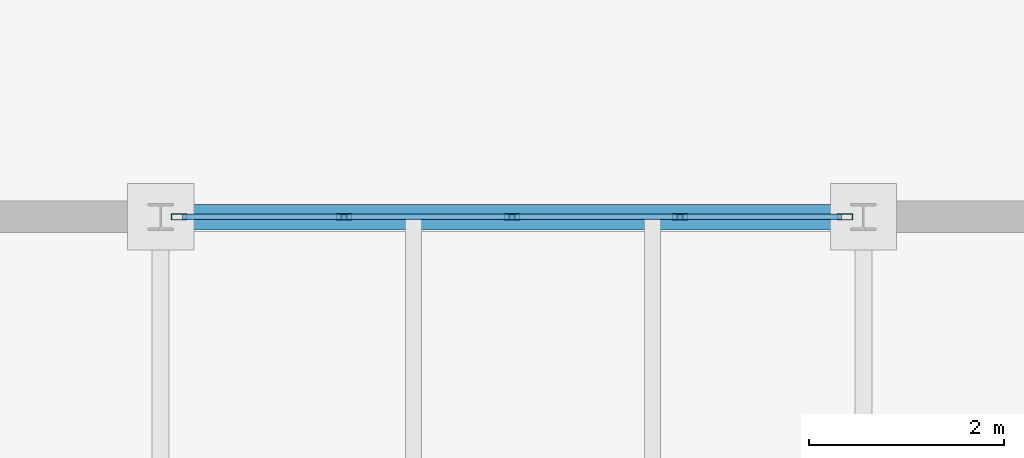
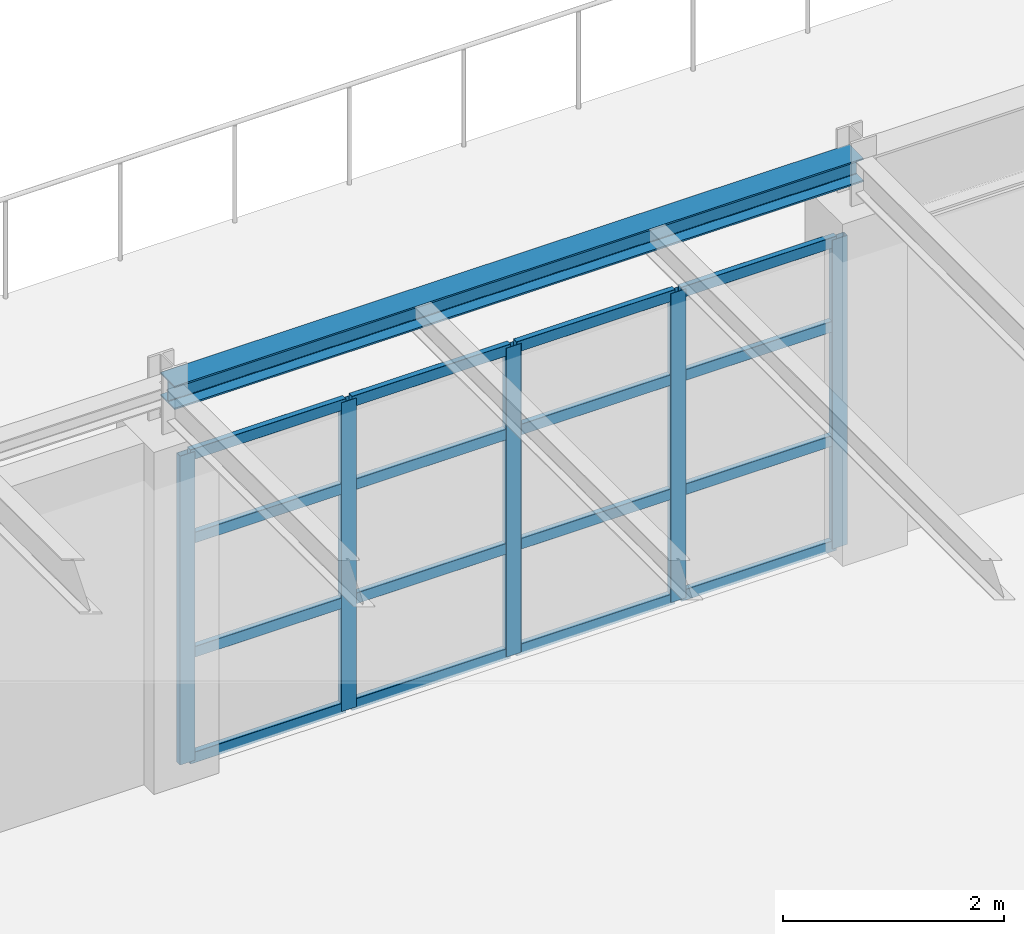
# One storey, part 72 of 101: 21 members, 1 beam, 1 element without a shape of its own.
"""IFC4 building model written with IfcOpenShell, lengths in metres."""

from ifc_helpers import new_model, si_unit, direction, frame, origin, origin_2d, place, context, subcontext, project, spatial, hollow_rectangle, i_section, extrude, material, layer, layer_set, material_profile, profile_set, type_object, element, aggregate, save


model = new_model("IFC4")

# Units and contexts
model_context = context("Model", 3, precision=1e-05, world=origin(), true_north=direction((0.0, 1.0)))
body_context = subcontext(model_context, "Body", "Model", "MODEL_VIEW")
ifc_project = project(units=[si_unit("LENGTHUNIT", "METRE"), si_unit("AREAUNIT", "SQUARE_METRE"), si_unit("VOLUMEUNIT", "CUBIC_METRE"), si_unit("PLANEANGLEUNIT", "RADIAN"), si_unit("MASSUNIT", "GRAM", prefix="KILO")], contexts=[model_context])

# Site, building, storey
site_placement = place(None, origin())
site = spatial("IfcSite", under=ifc_project, at=site_placement, CompositionType="ELEMENT")
building_placement = place(site_placement, origin())
building = spatial("IfcBuilding", under=site, at=building_placement, Name="Kemerveld Promenade Tramway Depot", CompositionType="ELEMENT")
storey_placement = place(building_placement, frame((0.0, 0.0, 9.89990234375)))
storey = spatial("IfcBuildingStorey", under=building, at=storey_placement, Name="L02", CompositionType="ELEMENT", Elevation=9.89990234375)

# Beam
ifc_material_1 = material(Name="Steel S355", Category="steel")
ifc_material_profile_1 = material_profile(ifc_material_1, i_section(OverallWidth=0.25634765625, OverallDepth=0.26025390625, WebThickness=0.01025390625, FlangeThickness=0.017333984375, FilletRadius=0.0126953125, at=origin_2d()), Name="254x254x89 UC")
ifc_profile_set_1 = profile_set([ifc_material_profile_1], Name="Steel S355")
beam_type = type_object("IfcBeamType", Name="BM-LN4", PredefinedType="LINTEL", material=ifc_profile_set_1)
beam_placement = place(storey_placement, frame((7.199951171875, 72.0, 4.155029296875), z_axis=(1.0, 0.0, 0.0), x_axis=(0.0, 1.0, 0.0)))
element("IfcBeam", 1, at=beam_placement, inside=storey, type_object=beam_type, Name="BMX-L02-02-03-L", PredefinedType="LINTEL", context=body_context, shape_type="SweptSolid", body=[
    extrude(i_section(OverallWidth=0.25634765625, OverallDepth=0.26025390625, WebThickness=0.01025390625, FlangeThickness=0.017333984375, FilletRadius=0.0126953125, at=origin_2d()), origin(), (0.0, 0.0, 1.0), 7.199951171875),
])

# Curtain wall, members
ifc_material_2 = material(Name="Bronze anodised aluminium and solar glass", Category="aluminium")
ifc_layer = layer(ifc_material_2, 0.159912109375)
ifc_layer_set = layer_set([ifc_layer], Name="CW-SYS-05")
curtain_wall_type = type_object("IfcCurtainWallType", Name="CW-SYS-05", PredefinedType="USERDEFINED", material=ifc_layer_set)
curtain_wall_placement = place(storey_placement, origin())
curtain_wall = element("IfcCurtainWall", 2, at=curtain_wall_placement, inside=storey, type_object=curtain_wall_type, Name="CW-L02-V5N-02", ObjectType="GLAZED_CURTAIN_WALL", PredefinedType="USERDEFINED")
ifc_material_3 = material(Name="Bronze anodised aluminium", Category="aluminium")
ifc_material_profile_2 = material_profile(ifc_material_3, hollow_rectangle(XDim=0.06494140625, YDim=0.159912109375, WallThickness=0.00390625, InnerFilletRadius=0.001953125, OuterFilletRadius=0.00390625, at=origin_2d()), Name="CW-MUL-160x65")
ifc_profile_set_2 = profile_set([ifc_material_profile_2], Name="Bronze anodised aluminium")
member_type_1 = type_object("IfcMemberType", Name="CW-MUL-A", PredefinedType="MULLION", material=ifc_profile_set_2)
member_1_placement = place(storey_placement, frame((7.390625, 72.0, 0.0), z_axis=(0.0, 0.0, 1.0), x_axis=(0.0, 1.0, 0.0)))
member_1 = element("IfcMember", 3, at=member_1_placement, type_object=member_type_1, Name="CW05 mullion 1", PredefinedType="MULLION", context=body_context, shape_type="SweptSolid", body=[
    extrude(hollow_rectangle(XDim=0.06494140625, YDim=0.159912109375, WallThickness=0.00390625, InnerFilletRadius=0.001953125, OuterFilletRadius=0.00390625, at=origin_2d()), origin(), (0.0, 0.0, 1.0), 3.414306640625),
])
member_2_placement = place(storey_placement, frame((9.0791015625, 72.0, 0.0), z_axis=(0.0, 0.0, 1.0), x_axis=(0.0, 1.0, 0.0)))
member_2 = element("IfcMember", 4, at=member_2_placement, type_object=member_type_1, Name="CW05 mullion 2", PredefinedType="MULLION", context=body_context, shape_type="SweptSolid", body=[
    extrude(hollow_rectangle(XDim=0.06494140625, YDim=0.159912109375, WallThickness=0.00390625, InnerFilletRadius=0.001953125, OuterFilletRadius=0.00390625, at=origin_2d()), origin(), (0.0, 0.0, 1.0), 3.414306640625),
])
member_3_placement = place(storey_placement, frame((10.800048828125, 72.0, 0.0), z_axis=(0.0, 0.0, 1.0), x_axis=(0.0, 1.0, 0.0)))
member_3 = element("IfcMember", 5, at=member_3_placement, type_object=member_type_1, Name="CW05 mullion 3", PredefinedType="MULLION", context=body_context, shape_type="SweptSolid", body=[
    extrude(hollow_rectangle(XDim=0.06494140625, YDim=0.159912109375, WallThickness=0.00390625, InnerFilletRadius=0.001953125, OuterFilletRadius=0.00390625, at=origin_2d()), origin(), (0.0, 0.0, 1.0), 3.414306640625),
])
member_4_placement = place(storey_placement, frame((12.52099609375, 72.0, 0.0), z_axis=(0.0, 0.0, 1.0), x_axis=(0.0, 1.0, 0.0)))
member_4 = element("IfcMember", 6, at=member_4_placement, type_object=member_type_1, Name="CW05 mullion 4", PredefinedType="MULLION", context=body_context, shape_type="SweptSolid", body=[
    extrude(hollow_rectangle(XDim=0.06494140625, YDim=0.159912109375, WallThickness=0.00390625, InnerFilletRadius=0.001953125, OuterFilletRadius=0.00390625, at=origin_2d()), origin(), (0.0, 0.0, 1.0), 3.414306640625),
])
member_5_placement = place(storey_placement, frame((14.20947265625, 72.0, 0.0), z_axis=(0.0, 0.0, 1.0), x_axis=(0.0, 1.0, 0.0)))
member_5 = element("IfcMember", 7, at=member_5_placement, type_object=member_type_1, Name="CW05 mullion 5", PredefinedType="MULLION", context=body_context, shape_type="SweptSolid", body=[
    extrude(hollow_rectangle(XDim=0.06494140625, YDim=0.159912109375, WallThickness=0.00390625, InnerFilletRadius=0.001953125, OuterFilletRadius=0.00390625, at=origin_2d()), origin(), (0.0, 0.0, 1.0), 3.414306640625),
])
ifc_material_profile_3 = material_profile(ifc_material_3, hollow_rectangle(XDim=0.06005859375, YDim=0.1201171875, WallThickness=0.00390625, InnerFilletRadius=0.001953125, OuterFilletRadius=0.00390625, at=origin_2d()), Name="CW-TRN-120x60")
ifc_profile_set_3 = profile_set([ifc_material_profile_3], Name="Bronze anodised aluminium")
member_type_2 = type_object("IfcMemberType", Name="CW-TRN-A", PredefinedType="USERDEFINED", material=ifc_profile_set_3)
member_6_placement = place(storey_placement, frame((7.423095703125, 72.0, 0.030029296875), z_axis=(1.0, 0.0, 0.0), x_axis=(0.0, 1.0, 0.0)))
member_6 = element("IfcMember", 8, at=member_6_placement, type_object=member_type_2, Name="CW05 transom 1.1", ObjectType="TRANSOM", PredefinedType="USERDEFINED", context=body_context, shape_type="SweptSolid", body=[
    extrude(hollow_rectangle(XDim=0.06005859375, YDim=0.1201171875, WallThickness=0.00390625, InnerFilletRadius=0.001953125, OuterFilletRadius=0.00390625, at=origin_2d()), origin(), (0.0, 0.0, 1.0), 1.62353515625),
])
member_7_placement = place(storey_placement, frame((7.423095703125, 72.0, 1.195068359375), z_axis=(1.0, 0.0, 0.0), x_axis=(0.0, 1.0, 0.0)))
member_7 = element("IfcMember", 9, at=member_7_placement, type_object=member_type_2, Name="CW05 transom 1.2", ObjectType="TRANSOM", PredefinedType="USERDEFINED", context=body_context, shape_type="SweptSolid", body=[
    extrude(hollow_rectangle(XDim=0.06005859375, YDim=0.1201171875, WallThickness=0.00390625, InnerFilletRadius=0.001953125, OuterFilletRadius=0.00390625, at=origin_2d()), origin(), (0.0, 0.0, 1.0), 1.62353515625),
])
member_8_placement = place(storey_placement, frame((7.423095703125, 72.0, 2.4580078125), z_axis=(1.0, 0.0, 0.0), x_axis=(0.0, 1.0, 0.0)))
member_8 = element("IfcMember", 10, at=member_8_placement, type_object=member_type_2, Name="CW05 transom 1.3", ObjectType="TRANSOM", PredefinedType="USERDEFINED", context=body_context, shape_type="SweptSolid", body=[
    extrude(hollow_rectangle(XDim=0.06005859375, YDim=0.1201171875, WallThickness=0.00390625, InnerFilletRadius=0.001953125, OuterFilletRadius=0.00390625, at=origin_2d()), origin(), (0.0, 0.0, 1.0), 1.62353515625),
])
member_9_placement = place(storey_placement, frame((7.423095703125, 72.0, 3.38427734375), z_axis=(1.0, 0.0, 0.0), x_axis=(0.0, 1.0, 0.0)))
member_9 = element("IfcMember", 11, at=member_9_placement, type_object=member_type_2, Name="CW05 transom 1.4", ObjectType="TRANSOM", PredefinedType="USERDEFINED", context=body_context, shape_type="SweptSolid", body=[
    extrude(hollow_rectangle(XDim=0.06005859375, YDim=0.1201171875, WallThickness=0.00390625, InnerFilletRadius=0.001953125, OuterFilletRadius=0.00390625, at=origin_2d()), origin(), (0.0, 0.0, 1.0), 1.62353515625),
])
member_10_placement = place(storey_placement, frame((9.111572265625, 72.0, 0.030029296875), z_axis=(1.0, 0.0, 0.0), x_axis=(0.0, 1.0, 0.0)))
member_10 = element("IfcMember", 12, at=member_10_placement, type_object=member_type_2, Name="CW05 transom 2.1", ObjectType="TRANSOM", PredefinedType="USERDEFINED", context=body_context, shape_type="SweptSolid", body=[
    extrude(hollow_rectangle(XDim=0.06005859375, YDim=0.1201171875, WallThickness=0.00390625, InnerFilletRadius=0.001953125, OuterFilletRadius=0.00390625, at=origin_2d()), origin(), (0.0, 0.0, 1.0), 1.656005859375),
])
member_11_placement = place(storey_placement, frame((9.111572265625, 72.0, 1.195068359375), z_axis=(1.0, 0.0, 0.0), x_axis=(0.0, 1.0, 0.0)))
member_11 = element("IfcMember", 13, at=member_11_placement, type_object=member_type_2, Name="CW05 transom 2.2", ObjectType="TRANSOM", PredefinedType="USERDEFINED", context=body_context, shape_type="SweptSolid", body=[
    extrude(hollow_rectangle(XDim=0.06005859375, YDim=0.1201171875, WallThickness=0.00390625, InnerFilletRadius=0.001953125, OuterFilletRadius=0.00390625, at=origin_2d()), origin(), (0.0, 0.0, 1.0), 1.656005859375),
])
member_12_placement = place(storey_placement, frame((9.111572265625, 72.0, 2.4580078125), z_axis=(1.0, 0.0, 0.0), x_axis=(0.0, 1.0, 0.0)))
member_12 = element("IfcMember", 14, at=member_12_placement, type_object=member_type_2, Name="CW05 transom 2.3", ObjectType="TRANSOM", PredefinedType="USERDEFINED", context=body_context, shape_type="SweptSolid", body=[
    extrude(hollow_rectangle(XDim=0.06005859375, YDim=0.1201171875, WallThickness=0.00390625, InnerFilletRadius=0.001953125, OuterFilletRadius=0.00390625, at=origin_2d()), origin(), (0.0, 0.0, 1.0), 1.656005859375),
])
member_13_placement = place(storey_placement, frame((9.111572265625, 72.0, 3.38427734375), z_axis=(1.0, 0.0, 0.0), x_axis=(0.0, 1.0, 0.0)))
member_13 = element("IfcMember", 15, at=member_13_placement, type_object=member_type_2, Name="CW05 transom 2.4", ObjectType="TRANSOM", PredefinedType="USERDEFINED", context=body_context, shape_type="SweptSolid", body=[
    extrude(hollow_rectangle(XDim=0.06005859375, YDim=0.1201171875, WallThickness=0.00390625, InnerFilletRadius=0.001953125, OuterFilletRadius=0.00390625, at=origin_2d()), origin(), (0.0, 0.0, 1.0), 1.656005859375),
])
member_14_placement = place(storey_placement, frame((10.83251953125, 72.0, 0.030029296875), z_axis=(1.0, 0.0, 0.0), x_axis=(0.0, 1.0, 0.0)))
member_14 = element("IfcMember", 16, at=member_14_placement, type_object=member_type_2, Name="CW05 transom 3.1", ObjectType="TRANSOM", PredefinedType="USERDEFINED", context=body_context, shape_type="SweptSolid", body=[
    extrude(hollow_rectangle(XDim=0.06005859375, YDim=0.1201171875, WallThickness=0.00390625, InnerFilletRadius=0.001953125, OuterFilletRadius=0.00390625, at=origin_2d()), origin(), (0.0, 0.0, 1.0), 1.656005859375),
])
member_15_placement = place(storey_placement, frame((10.83251953125, 72.0, 1.195068359375), z_axis=(1.0, 0.0, 0.0), x_axis=(0.0, 1.0, 0.0)))
member_15 = element("IfcMember", 17, at=member_15_placement, type_object=member_type_2, Name="CW05 transom 3.2", ObjectType="TRANSOM", PredefinedType="USERDEFINED", context=body_context, shape_type="SweptSolid", body=[
    extrude(hollow_rectangle(XDim=0.06005859375, YDim=0.1201171875, WallThickness=0.00390625, InnerFilletRadius=0.001953125, OuterFilletRadius=0.00390625, at=origin_2d()), origin(), (0.0, 0.0, 1.0), 1.656005859375),
])
member_16_placement = place(storey_placement, frame((10.83251953125, 72.0, 2.4580078125), z_axis=(1.0, 0.0, 0.0), x_axis=(0.0, 1.0, 0.0)))
member_16 = element("IfcMember", 18, at=member_16_placement, type_object=member_type_2, Name="CW05 transom 3.3", ObjectType="TRANSOM", PredefinedType="USERDEFINED", context=body_context, shape_type="SweptSolid", body=[
    extrude(hollow_rectangle(XDim=0.06005859375, YDim=0.1201171875, WallThickness=0.00390625, InnerFilletRadius=0.001953125, OuterFilletRadius=0.00390625, at=origin_2d()), origin(), (0.0, 0.0, 1.0), 1.656005859375),
])
member_17_placement = place(storey_placement, frame((10.83251953125, 72.0, 3.38427734375), z_axis=(1.0, 0.0, 0.0), x_axis=(0.0, 1.0, 0.0)))
member_17 = element("IfcMember", 19, at=member_17_placement, type_object=member_type_2, Name="CW05 transom 3.4", ObjectType="TRANSOM", PredefinedType="USERDEFINED", context=body_context, shape_type="SweptSolid", body=[
    extrude(hollow_rectangle(XDim=0.06005859375, YDim=0.1201171875, WallThickness=0.00390625, InnerFilletRadius=0.001953125, OuterFilletRadius=0.00390625, at=origin_2d()), origin(), (0.0, 0.0, 1.0), 1.656005859375),
])
member_18_placement = place(storey_placement, frame((12.553466796875, 72.0, 0.030029296875), z_axis=(1.0, 0.0, 0.0), x_axis=(0.0, 1.0, 0.0)))
member_18 = element("IfcMember", 20, at=member_18_placement, type_object=member_type_2, Name="CW05 transom 4.1", ObjectType="TRANSOM", PredefinedType="USERDEFINED", context=body_context, shape_type="SweptSolid", body=[
    extrude(hollow_rectangle(XDim=0.06005859375, YDim=0.1201171875, WallThickness=0.00390625, InnerFilletRadius=0.001953125, OuterFilletRadius=0.00390625, at=origin_2d()), origin(), (0.0, 0.0, 1.0), 1.62353515625),
])
member_19_placement = place(storey_placement, frame((12.553466796875, 72.0, 1.195068359375), z_axis=(1.0, 0.0, 0.0), x_axis=(0.0, 1.0, 0.0)))
member_19 = element("IfcMember", 21, at=member_19_placement, type_object=member_type_2, Name="CW05 transom 4.2", ObjectType="TRANSOM", PredefinedType="USERDEFINED", context=body_context, shape_type="SweptSolid", body=[
    extrude(hollow_rectangle(XDim=0.06005859375, YDim=0.1201171875, WallThickness=0.00390625, InnerFilletRadius=0.001953125, OuterFilletRadius=0.00390625, at=origin_2d()), origin(), (0.0, 0.0, 1.0), 1.62353515625),
])
member_20_placement = place(storey_placement, frame((12.553466796875, 72.0, 2.4580078125), z_axis=(1.0, 0.0, 0.0), x_axis=(0.0, 1.0, 0.0)))
member_20 = element("IfcMember", 22, at=member_20_placement, type_object=member_type_2, Name="CW05 transom 4.3", ObjectType="TRANSOM", PredefinedType="USERDEFINED", context=body_context, shape_type="SweptSolid", body=[
    extrude(hollow_rectangle(XDim=0.06005859375, YDim=0.1201171875, WallThickness=0.00390625, InnerFilletRadius=0.001953125, OuterFilletRadius=0.00390625, at=origin_2d()), origin(), (0.0, 0.0, 1.0), 1.62353515625),
])
member_21_placement = place(storey_placement, frame((12.553466796875, 72.0, 3.38427734375), z_axis=(1.0, 0.0, 0.0), x_axis=(0.0, 1.0, 0.0)))
member_21 = element("IfcMember", 23, at=member_21_placement, type_object=member_type_2, Name="CW05 transom 4.4", ObjectType="TRANSOM", PredefinedType="USERDEFINED", context=body_context, shape_type="SweptSolid", body=[
    extrude(hollow_rectangle(XDim=0.06005859375, YDim=0.1201171875, WallThickness=0.00390625, InnerFilletRadius=0.001953125, OuterFilletRadius=0.00390625, at=origin_2d()), origin(), (0.0, 0.0, 1.0), 1.62353515625),
])
aggregate(curtain_wall, [member_1, member_2, member_3, member_4, member_5, member_6, member_7, member_8, member_9, member_10, member_11, member_12, member_13, member_14, member_15, member_16, member_17, member_18, member_19, member_20, member_21])

save(model, "model.ifc")
